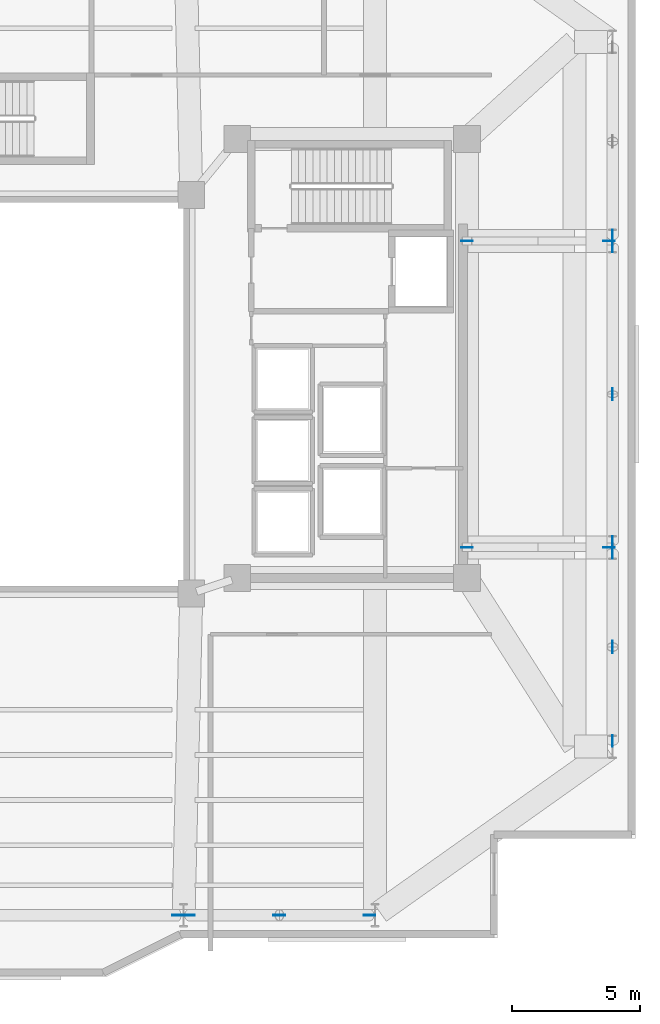
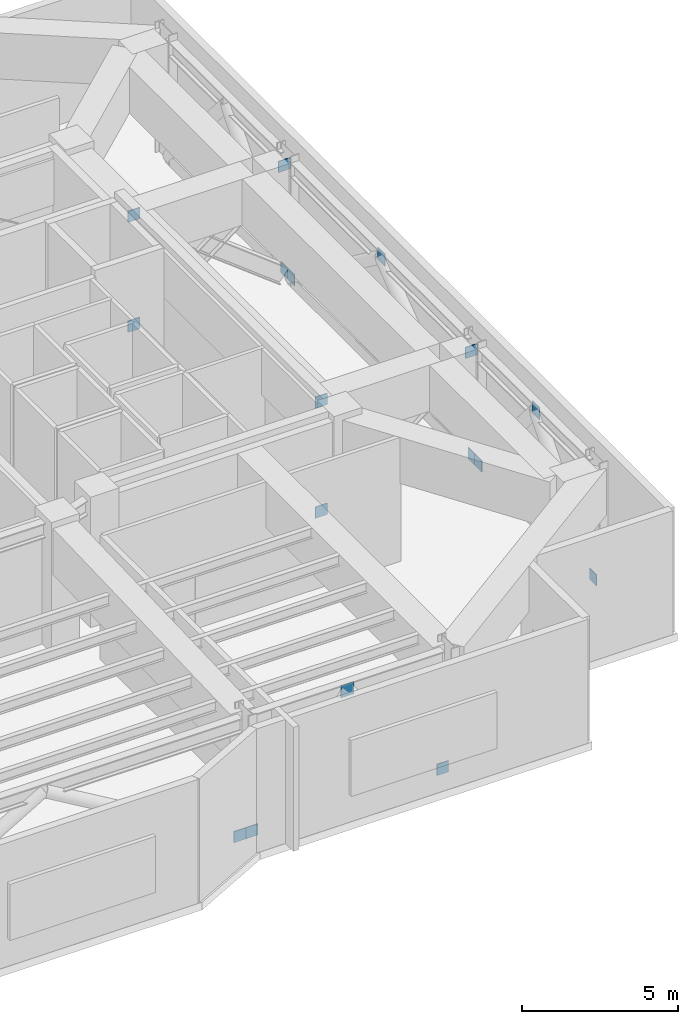
# One storey, part 5 of 13: 17 plates.
"""IFC4 building model written with IfcOpenShell, lengths in metres."""

from ifc_helpers import new_model, si_unit, direction, frame, origin, origin_2d, place, context, subcontext, project, spatial, rectangle, extrude, material, layer, layer_set, type_object, element, save


model = new_model("IFC4")

# Units and contexts
model_context = context("Model", 3, precision=1e-05, world=origin(), true_north=direction((0.0, 1.0)))
body_context = subcontext(model_context, "Body", "Model", "MODEL_VIEW")
ifc_project = project(units=[si_unit("LENGTHUNIT", "METRE"), si_unit("AREAUNIT", "SQUARE_METRE"), si_unit("VOLUMEUNIT", "CUBIC_METRE"), si_unit("PLANEANGLEUNIT", "RADIAN"), si_unit("MASSUNIT", "GRAM", prefix="KILO")], contexts=[model_context])

# Site, building, storey
site_placement = place(None, origin())
site = spatial("IfcSite", under=ifc_project, at=site_placement, CompositionType="ELEMENT")
building_placement = place(site_placement, origin())
building = spatial("IfcBuilding", under=site, at=building_placement, Name="Tarnavaz Court Tower", CompositionType="ELEMENT")
storey_placement = place(building_placement, frame((0.0, 0.0, 181.800048828125)))
storey = spatial("IfcBuildingStorey", under=building, at=storey_placement, Name="L49", CompositionType="ELEMENT", Elevation=181.800048828125)

# Plates
ifc_material = material(Name="Steel S355", Category="steel")
ifc_layer = layer(ifc_material, 0.030029296875)
ifc_layer_set = layer_set([ifc_layer], Name="Steel S355")
plate_type = type_object("IfcPlateType", Name="PL-GUSSET-30", PredefinedType="USERDEFINED", material=ifc_layer_set)
for number, where, z_axis, x_axis, name in (
    (1, (11.25, -20.39990234375, 4.260009765625), (0.0, 0.0, 1.0), (1.0, 0.0, 0.0), "L49 Belt Truss Apex Gusset & End-Cap Plate 06"),
    (2, (24.300048828125, -9.89990234375, 4.260009765625), (0.0, 0.0, 1.0), (0.0, 1.0, 0.0), "L49 Belt Truss Apex Gusset & End-Cap Plate 07"),
    (3, (24.300048828125, 0.0, 4.260009765625), (0.0, 0.0, 1.0), (0.0, 1.0, 0.0), "L49 Belt Truss Apex Gusset & End-Cap Plate 08"),
):
    element("IfcPlate", number, at=place(storey_placement, frame(where, z_axis=z_axis, x_axis=x_axis)), inside=storey, type_object=plate_type, Name=name, ObjectType="GUSSET PLATE", PredefinedType="USERDEFINED", context=body_context, shape_type="SweptSolid", body=[
        extrude(rectangle(XDim=0.47998046875, YDim=0.030029296875, at=origin_2d()), origin(), (0.0, 0.0, 1.0), 0.47998046875),
    ])
for number, where, z_axis, x_axis, name in (
    (4, (7.280029296875, -20.39990234375, -0.02001953125), (0.0, 0.0, 1.0), (1.0, 0.0, 0.0), "L49 Structural Brace & Strut End Gusset Plate 082"),
    (5, (7.719970703125, -20.39990234375, -0.02001953125), (0.0, 0.0, 1.0), (1.0, 0.0, 0.0), "L49 Structural Brace & Strut End Gusset Plate 083"),
    (6, (14.780029296875, -20.39990234375, -0.02001953125), (0.0, 0.0, 1.0), (1.0, 0.0, 0.0), "L49 Structural Brace & Strut End Gusset Plate 084"),
    (7, (24.300048828125, -13.580078125, -0.02001953125), (0.0, 0.0, 1.0), (0.0, 1.0, 0.0), "L49 Structural Brace & Strut End Gusset Plate 085"),
    (8, (24.300048828125, -6.219970703125, -0.02001953125), (0.0, 0.0, 1.0), (0.0, 1.0, 0.0), "L49 Structural Brace & Strut End Gusset Plate 086"),
    (9, (24.300048828125, -5.780029296875, -0.02001953125), (0.0, 0.0, 1.0), (0.0, 1.0, 0.0), "L49 Structural Brace & Strut End Gusset Plate 087"),
    (10, (24.300048828125, 5.780029296875, -0.02001953125), (0.0, 0.0, 1.0), (0.0, 1.0, 0.0), "L49 Structural Brace & Strut End Gusset Plate 088"),
    (11, (24.300048828125, 6.219970703125, -0.02001953125), (0.0, 0.0, 1.0), (0.0, 1.0, 0.0), "L49 Structural Brace & Strut End Gusset Plate 089"),
    (12, (18.60009765625, -6.0, -0.02001953125), (0.0, 0.0, 1.0), (1.0, 0.0, 0.0), "L49 Structural Brace & Strut End Gusset Plate 097"),
    (13, (24.159912109375, -6.0, 4.280029296875), (0.0, 0.0, 1.0), (1.0, 0.0, 0.0), "L49 Structural Brace & Strut End Gusset Plate 098"),
    (14, (18.60009765625, -6.0, 4.280029296875), (0.0, 0.0, 1.0), (1.0, 0.0, 0.0), "L49 Structural Brace & Strut End Gusset Plate 099"),
    (15, (18.60009765625, 6.0, -0.02001953125), (0.0, 0.0, 1.0), (1.0, 0.0, 0.0), "L49 Structural Brace & Strut End Gusset Plate 100"),
    (16, (24.159912109375, 6.0, 4.280029296875), (0.0, 0.0, 1.0), (1.0, 0.0, 0.0), "L49 Structural Brace & Strut End Gusset Plate 101"),
    (17, (18.60009765625, 6.0, 4.280029296875), (0.0, 0.0, 1.0), (1.0, 0.0, 0.0), "L49 Structural Brace & Strut End Gusset Plate 102"),
):
    element("IfcPlate", number, at=place(storey_placement, frame(where, z_axis=z_axis, x_axis=x_axis)), inside=storey, type_object=plate_type, Name=name, ObjectType="GUSSET PLATE", PredefinedType="USERDEFINED", context=body_context, shape_type="SweptSolid", body=[
        extrude(rectangle(XDim=0.43994140625, YDim=0.030029296875, at=origin_2d()), origin(), (0.0, 0.0, 1.0), 0.43994140625),
    ])

save(model, "model.ifc")
